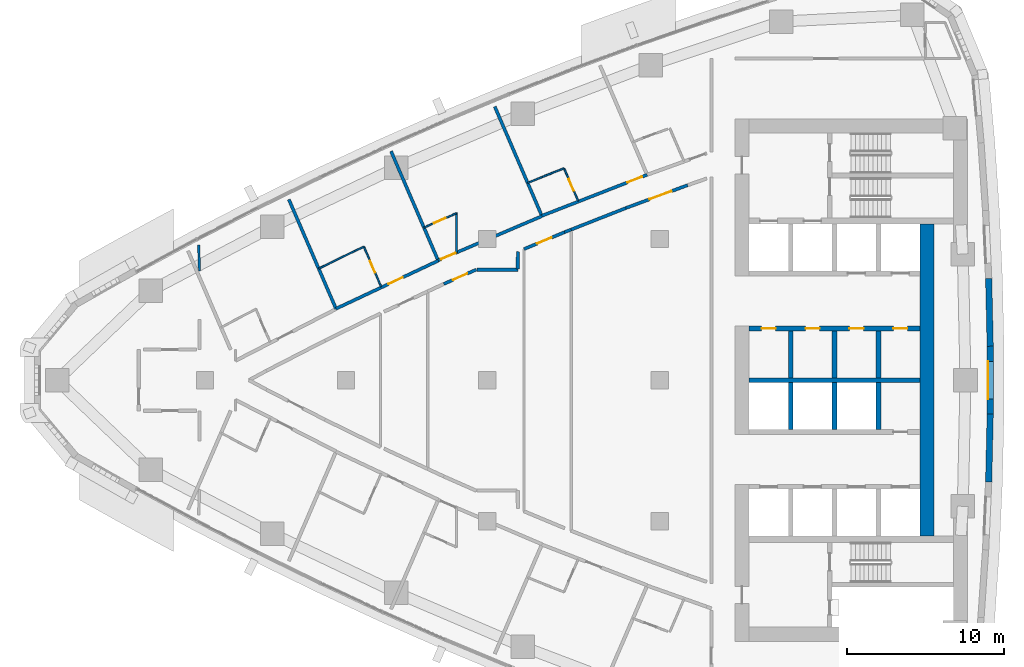
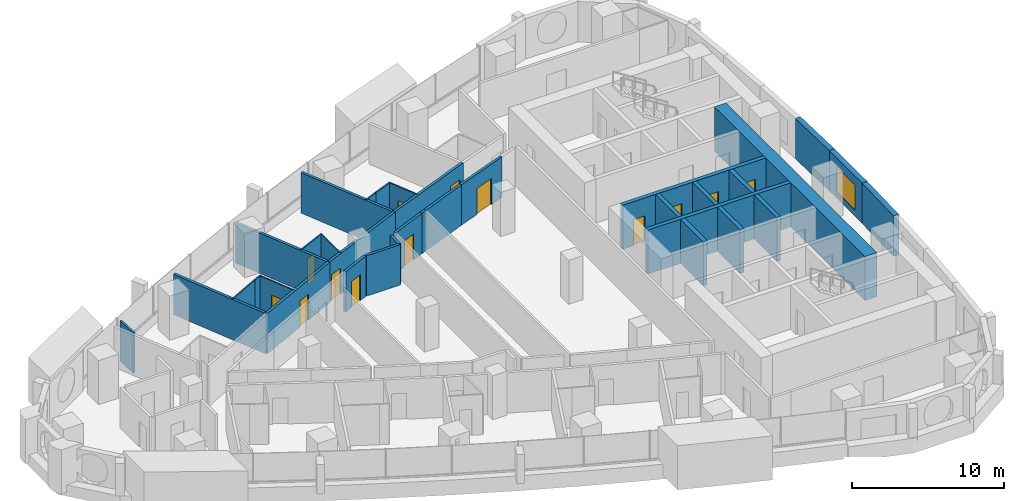
# One storey, part 11 of 17: 34 walls, 13 doors, 1 window, 14 openings.
"""IFC4 building model written with IfcOpenShell, lengths in metres."""

import ifcopenshell
import ifcopenshell.guid

model = None  # the IFC model being written
_history = None  # IfcOwnerHistory: only IFC2X3 demands one
_inside = {}  # id of a spatial element -> (the spatial element, [elements in it])
_under = {}  # id of a project, library or spatial element -> (it, [spatial elements below it])
_declared = {}  # id of a project -> (the project, [libraries it declares])
_typed = {}  # id of a type object -> (the type object, [elements of that type])
_made_of = {}  # id of a material, layer set ... -> (it, [elements and type objects made of it])


def new_model(schema):
    """Start an empty IFC model of exactly this schema.

    Asked for "IFC4X3", IfcOpenShell would pick the latest addendum, in which some entities
    have other attributes; the version numbers below select the first issue.
    IFC2X3 requires an IfcOwnerHistory on every rooted entity: one is made here for all.
    """
    global model, _history
    if schema == "IFC4X3":
        model = ifcopenshell.file(schema_version=(4, 3, 0, 0))
    else:
        model = ifcopenshell.file(schema=schema)
    _inside.clear()
    _under.clear()
    _declared.clear()
    _typed.clear()
    _made_of.clear()
    _history = None
    if model.schema == "IFC2X3":
        org = make("IfcOrganization", Name="unknown")
        user = make(
            "IfcPersonAndOrganization",
            ThePerson=make("IfcPerson", FamilyName="unknown"),
            TheOrganization=org,
        )
        app = make(
            "IfcApplication",
            ApplicationDeveloper=org,
            Version="unknown",
            ApplicationFullName="unknown",
            ApplicationIdentifier="unknown",
        )
        _history = make(
            "IfcOwnerHistory",
            OwningUser=user,
            OwningApplication=app,
            ChangeAction="ADDED",
            CreationDate=0,
        )
    return model


def make(cls, **values):
    """One entity of the class cls with the attributes given. An attribute that is None is left unset."""
    return model.create_entity(
        cls, **{name: value for name, value in values.items() if value is not None}
    )


def rooted(cls, **values):
    """An entity with a GlobalId (a new one), such as an element, a storey or a relation."""
    return make(cls, GlobalId=ifcopenshell.guid.new(), OwnerHistory=_history, **values)


def si_unit(unit_type, name, prefix=None):
    """IfcSIUnit, for example si_unit("LENGTHUNIT", "METRE", prefix="MILLI")."""
    return make("IfcSIUnit", UnitType=unit_type, Prefix=prefix, Name=name)


def assignment(units):
    """IfcUnitAssignment: the units of a project."""
    return None if units is None else make("IfcUnitAssignment", Units=units)


def point(xyz):
    """IfcCartesianPoint."""
    return None if xyz is None else make("IfcCartesianPoint", Coordinates=xyz)


def direction(xyz):
    """IfcDirection."""
    return None if xyz is None else make("IfcDirection", DirectionRatios=xyz)


def frame(location, z_axis=None, x_axis=None):
    """IfcAxis2Placement3D, a coordinate frame: its origin and axes. An axis left out is left unset."""
    return make(
        "IfcAxis2Placement3D",
        Location=point(location),
        Axis=direction(z_axis),
        RefDirection=direction(x_axis),
    )


def frame_2d(location, x_axis=None):
    """IfcAxis2Placement2D, a coordinate frame in the plane: its origin and x axis."""
    return make(
        "IfcAxis2Placement2D", Location=point(location), RefDirection=direction(x_axis)
    )


def origin():
    """The frame at (0, 0, 0) with its axes left unset."""
    return frame((0.0, 0.0, 0.0))


def place(relative_to, where):
    """IfcLocalPlacement: puts the frame where relative to a parent placement (None: the world)."""
    return make(
        "IfcLocalPlacement", PlacementRelTo=relative_to, RelativePlacement=where
    )


def context(
    kind, dimensions, precision=None, world=None, true_north=None, identifier=None
):
    """IfcGeometricRepresentationContext, for example the 3D "Model" context."""
    return make(
        "IfcGeometricRepresentationContext",
        ContextIdentifier=identifier,
        ContextType=kind,
        CoordinateSpaceDimension=dimensions,
        Precision=precision,
        WorldCoordinateSystem=world,
        TrueNorth=true_north,
    )


def subcontext(parent, identifier, kind, view, scale=None):
    """IfcGeometricRepresentationSubContext, for example "Body" below "Model"."""
    return make(
        "IfcGeometricRepresentationSubContext",
        ContextIdentifier=identifier,
        ContextType=kind,
        ParentContext=parent,
        TargetScale=scale,
        TargetView=view,
    )


def project(units=None, contexts=None):
    """IfcProject with its units and contexts."""
    return rooted(
        "IfcProject",
        Name="project",
        RepresentationContexts=contexts,
        UnitsInContext=assignment(units),
    )


def spatial(cls, under=None, at=None, **own):
    """A site, building, storey or space (cls), placed at a placement, below another one or the project."""
    s = rooted(cls, ObjectPlacement=at, **own)
    if under is not None:
        _under.setdefault(under.id(), (under, []))[1].append(s)
    return s


def polyline(points):
    """IfcPolyline through the points."""
    return make("IfcPolyline", Points=[point(p) for p in points])


def profile(cls, at=None, kind="AREA", **sizes):
    """A parametric profile (cls). Its sizes go by their IFC names, for example OverallWidth=200.0."""
    return make(cls, ProfileType=kind, Position=at, **sizes)


def rectangle(**sizes):
    """IfcRectangleProfileDef."""
    return profile("IfcRectangleProfileDef", **sizes)


def outline(outer, holes=None, kind="AREA"):
    """IfcArbitraryClosedProfileDef: a profile drawn as a closed curve; with holes, ...WithVoids."""
    if holes is None:
        return make("IfcArbitraryClosedProfileDef", ProfileType=kind, OuterCurve=outer)
    return make(
        "IfcArbitraryProfileDefWithVoids",
        ProfileType=kind,
        OuterCurve=outer,
        InnerCurves=holes,
    )


def extrude(swept, where, along, depth):
    """IfcExtrudedAreaSolid: the profile swept, set in the frame where, extruded along a direction by depth."""
    return make(
        "IfcExtrudedAreaSolid",
        SweptArea=swept,
        Position=where,
        ExtrudedDirection=direction(along),
        Depth=depth,
    )


def shape(context_of_items, identifier, shape_type, items):
    """IfcShapeRepresentation: the items that make up one representation, for example the "Body"."""
    return make(
        "IfcShapeRepresentation",
        ContextOfItems=context_of_items,
        RepresentationIdentifier=identifier,
        RepresentationType=shape_type,
        Items=items,
    )


def material(Name=None, Category=None):
    """IfcMaterial."""
    return make("IfcMaterial", Name=Name, Category=Category)


def layer(
    of_material, thickness, ventilated=None, Name=None, Category=None, Priority=None
):
    """IfcMaterialLayer: one layer of a wall or slab, of a material (None: an air gap)."""
    return make(
        "IfcMaterialLayer",
        Material=of_material,
        LayerThickness=thickness,
        IsVentilated=ventilated,
        Name=Name,
        Category=Category,
        Priority=Priority,
    )


def layer_set(layers, Name=None):
    """IfcMaterialLayerSet."""
    return make("IfcMaterialLayerSet", MaterialLayers=layers, LayerSetName=Name)


def made_of(thing, what):
    """Note that an element or type object is made of a material, layer set ...; save() writes the relation."""
    if what is not None:
        _made_of.setdefault(what.id(), (what, []))[1].append(thing)
    return thing


def type_object(cls, material=None, **own):
    """A type object (cls), such as IfcWallType, which elements share."""
    return made_of(rooted(cls, **own), material)


def element(
    cls,
    number,
    at=None,
    inside=None,
    cuts=None,
    type_object=None,
    material=None,
    context=None,
    identifier="Body",
    shape_type=None,
    held_by="IfcProductDefinitionShape",
    body=None,
    shapes=None,
    **own,
):
    """One element of the class cls, such as IfcWall. Its Tag is "e" and its number.

    at: its placement. inside: the storey or other place that contains it. cuts: it is an
    opening in that element (IfcRelVoidsElement). A single representation is given by context,
    identifier, shape_type and body (its items); several are given by shapes. held_by: the class
    of the entity that holds the representations. save() writes the other relations.
    """
    e = rooted(cls, Tag="e%d" % number, ObjectPlacement=at, **own)
    if body is not None:
        shapes = [shape(context, identifier, shape_type, body)]
    if shapes is not None:
        e.Representation = make(held_by, Representations=shapes)
    if inside is not None:
        _inside.setdefault(inside.id(), (inside, []))[1].append(e)
    if cuts is not None:
        rooted(
            "IfcRelVoidsElement", RelatingBuildingElement=cuts, RelatedOpeningElement=e
        )
    if type_object is not None:
        _typed.setdefault(type_object.id(), (type_object, []))[1].append(e)
    return made_of(e, material)


def fill(opening, filler):
    """IfcRelFillsElement: the door or window that sits in an opening."""
    return rooted(
        "IfcRelFillsElement",
        RelatingOpeningElement=opening,
        RelatedBuildingElement=filler,
    )


def aggregate(whole, parts):
    """IfcRelAggregates: a whole, such as a stair, and the parts it consists of."""
    return rooted("IfcRelAggregates", RelatingObject=whole, RelatedObjects=parts)


def save(model, path):
    """Write the relations noted so far, then the file.

    IfcRelAggregates (storeys below a building ...), IfcRelContainedInSpatialStructure (elements
    in a storey), IfcRelDefinesByType, IfcRelAssociatesMaterial and IfcRelDeclares: one each for
    every whole, place, type object, material and project.
    """
    for whole, parts in _under.values():
        aggregate(whole, parts)
    for where, things in _inside.values():
        rooted(
            "IfcRelContainedInSpatialStructure",
            RelatedElements=things,
            RelatingStructure=where,
        )
    for kind, things in _typed.values():
        rooted("IfcRelDefinesByType", RelatedObjects=things, RelatingType=kind)
    for what, things in _made_of.values():
        rooted("IfcRelAssociatesMaterial", RelatedObjects=things, RelatingMaterial=what)
    for by, libraries in _declared.values():
        rooted("IfcRelDeclares", RelatingContext=by, RelatedDefinitions=libraries)
    model.write(path)


model = new_model("IFC4")

# Units and contexts
model_context = context("Model", 3, precision=1e-05, world=origin(), true_north=direction((0.0, 1.0)))
body_context = subcontext(model_context, "Body", "Model", "MODEL_VIEW")
ifc_project = project(units=[si_unit("LENGTHUNIT", "METRE"), si_unit("AREAUNIT", "SQUARE_METRE"), si_unit("VOLUMEUNIT", "CUBIC_METRE"), si_unit("PLANEANGLEUNIT", "RADIAN"), si_unit("MASSUNIT", "GRAM", prefix="KILO")], contexts=[model_context])

# Site, building, storey
site_placement = place(None, origin())
site = spatial("IfcSite", under=ifc_project, at=site_placement, CompositionType="ELEMENT")
building_placement = place(site_placement, origin())
building = spatial("IfcBuilding", under=site, at=building_placement, Name="Ostrand Prow Hotel Tower", CompositionType="ELEMENT")
storey_placement = place(building_placement, frame((0.0, 0.0, 137.300048828125)))
storey = spatial("IfcBuildingStorey", under=building, at=storey_placement, Name="L33", CompositionType="ELEMENT", Elevation=137.300048828125)

# Wall
ifc_material_1 = material(Name="Concrete C70/85", Category="concrete")
ifc_layer_1 = layer(ifc_material_1, 0.300048828125)
ifc_layer_set_1 = layer_set([ifc_layer_1], Name="Concrete C70/85")
wall_type_1 = type_object("IfcWallType", Name="Core wall 300 C70/85", PredefinedType="SHEAR", material=ifc_layer_set_1)
wall_1_placement = place(storey_placement, frame((50.699951171875, 0.0, 0.0), z_axis=(0.0, 0.0, 1.0), x_axis=(1.0, 0.0, 0.0)))
element("IfcWall", 1, at=wall_1_placement, inside=storey, type_object=wall_type_1, Name="Core wall PW-C", PredefinedType="SHEAR", context=body_context, shape_type="SweptSolid", body=[
    extrude(rectangle(XDim=10.900146484375, YDim=0.300048828125, at=frame_2d((5.4501953125, 0.0))), origin(), (0.0, 0.0, 1.0), 3.550048828125),
])

# Wall, openings, doors
wall_2_placement = place(storey_placement, frame((50.699951171875, 3.300048828125, 0.0), z_axis=(0.0, 0.0, 1.0), x_axis=(1.0, 0.0, 0.0)))
wall_2 = element("IfcWall", 2, at=wall_2_placement, inside=storey, type_object=wall_type_1, Name="Core wall PW-L1-N", PredefinedType="SHEAR", context=body_context, shape_type="SweptSolid", body=[
    extrude(rectangle(XDim=10.900146484375, YDim=0.300048828125, at=frame_2d((5.4501953125, 0.0))), origin(), (0.0, 0.0, 1.0), 3.550048828125),
])
opening_1_placement = place(wall_2_placement, frame((0.800048828125, 0.0, 0.0)))
opening_1 = element("IfcOpeningElement", 3, at=opening_1_placement, cuts=wall_2, Name="Opening FD2", PredefinedType="OPENING", context=body_context, shape_type="SweptSolid", body=[
    extrude(rectangle(XDim=0.89990234375, YDim=2.10009765625, at=frame_2d((0.449951171875, 1.050048828125))), frame((0.0, 0.159912109375, 0.0), z_axis=(0.0, -1.0, 0.0), x_axis=(1.0, 0.0, 0.0)), (0.0, 0.0, 1.0), 0.320068359375),
])
opening_2_placement = place(wall_2_placement, frame((3.60009765625, 0.0, 0.0)))
opening_2 = element("IfcOpeningElement", 4, at=opening_2_placement, cuts=wall_2, Name="Opening FD2", PredefinedType="OPENING", context=body_context, shape_type="SweptSolid", body=[
    extrude(rectangle(XDim=0.89990234375, YDim=2.10009765625, at=frame_2d((0.449951171875, 1.050048828125))), frame((0.0, 0.159912109375, 0.0), z_axis=(0.0, -1.0, 0.0), x_axis=(1.0, 0.0, 0.0)), (0.0, 0.0, 1.0), 0.320068359375),
])
opening_3_placement = place(wall_2_placement, frame((6.39990234375, 0.0, 0.0)))
opening_3 = element("IfcOpeningElement", 5, at=opening_3_placement, cuts=wall_2, Name="Opening FD2", PredefinedType="OPENING", context=body_context, shape_type="SweptSolid", body=[
    extrude(rectangle(XDim=0.89990234375, YDim=2.10009765625, at=frame_2d((0.449951171875, 1.050048828125))), frame((0.0, 0.159912109375, 0.0), z_axis=(0.0, -1.0, 0.0), x_axis=(1.0, 0.0, 0.0)), (0.0, 0.0, 1.0), 0.320068359375),
])
opening_4_placement = place(wall_2_placement, frame((9.199951171875, 0.0, 0.0)))
opening_4 = element("IfcOpeningElement", 6, at=opening_4_placement, cuts=wall_2, Name="Opening FD2", PredefinedType="OPENING", context=body_context, shape_type="SweptSolid", body=[
    extrude(rectangle(XDim=0.89990234375, YDim=2.10009765625, at=frame_2d((0.449951171875, 1.050048828125))), frame((0.0, 0.159912109375, 0.0), z_axis=(0.0, -1.0, 0.0), x_axis=(1.0, 0.0, 0.0)), (0.0, 0.0, 1.0), 0.320068359375),
])
ifc_material_2 = material(Name="Steel fire door", Category="steel")
door_type_1 = type_object("IfcDoorType", Name="Fire door 900 EI120", OperationType="SINGLE_SWING_LEFT", PredefinedType="DOOR", material=ifc_material_2)
door_1_placement = place(opening_1_placement, origin())
door_1 = element("IfcDoor", 7, at=door_1_placement, inside=storey, type_object=door_type_1, Name="DOOR", OperationType="SINGLE_SWING_LEFT", OverallHeight=2.10009765625, OverallWidth=0.89990234375, PredefinedType="DOOR", context=body_context, shape_type="SweptSolid", body=[
    extrude(rectangle(XDim=0.89990234375, YDim=2.10009765625, at=frame_2d((0.449951171875, 1.050048828125))), frame((0.0, 0.02490234375, 0.0), z_axis=(0.0, -1.0, 0.0), x_axis=(1.0, 0.0, 0.0)), (0.0, 0.0, 1.0), 0.050048828125),
])
fill(opening_1, door_1)
door_2_placement = place(opening_2_placement, origin())
door_2 = element("IfcDoor", 8, at=door_2_placement, inside=storey, type_object=door_type_1, Name="DOOR", OperationType="SINGLE_SWING_LEFT", OverallHeight=2.10009765625, OverallWidth=0.89990234375, PredefinedType="DOOR", context=body_context, shape_type="SweptSolid", body=[
    extrude(rectangle(XDim=0.89990234375, YDim=2.10009765625, at=frame_2d((0.449951171875, 1.050048828125))), frame((0.0, 0.02490234375, 0.0), z_axis=(0.0, -1.0, 0.0), x_axis=(1.0, 0.0, 0.0)), (0.0, 0.0, 1.0), 0.050048828125),
])
fill(opening_2, door_2)
door_3_placement = place(opening_3_placement, origin())
door_3 = element("IfcDoor", 9, at=door_3_placement, inside=storey, type_object=door_type_1, Name="DOOR", OperationType="SINGLE_SWING_LEFT", OverallHeight=2.10009765625, OverallWidth=0.89990234375, PredefinedType="DOOR", context=body_context, shape_type="SweptSolid", body=[
    extrude(rectangle(XDim=0.89990234375, YDim=2.10009765625, at=frame_2d((0.449951171875, 1.050048828125))), frame((0.0, 0.02490234375, 0.0), z_axis=(0.0, -1.0, 0.0), x_axis=(1.0, 0.0, 0.0)), (0.0, 0.0, 1.0), 0.050048828125),
])
fill(opening_3, door_3)
door_4_placement = place(opening_4_placement, origin())
door_4 = element("IfcDoor", 10, at=door_4_placement, inside=storey, type_object=door_type_1, Name="DOOR", OperationType="SINGLE_SWING_LEFT", OverallHeight=2.10009765625, OverallWidth=0.89990234375, PredefinedType="DOOR", context=body_context, shape_type="SweptSolid", body=[
    extrude(rectangle(XDim=0.89990234375, YDim=2.10009765625, at=frame_2d((0.449951171875, 1.050048828125))), frame((0.0, 0.02490234375, 0.0), z_axis=(0.0, -1.0, 0.0), x_axis=(1.0, 0.0, 0.0)), (0.0, 0.0, 1.0), 0.050048828125),
])
fill(opening_4, door_4)

# Walls
for number, where, z_axis, x_axis, name in (
    (11, (53.35009765625, 0.14990234375, 0.0), (0.0, 0.0, 1.0), (0.0, 1.0, 0.0), "Core wall PW-R1-NB"),
    (12, (56.14990234375, 0.14990234375, 0.0), (0.0, 0.0, 1.0), (0.0, 1.0, 0.0), "Core wall PW-R2-NB"),
    (13, (58.949951171875, 0.14990234375, 0.0), (0.0, 0.0, 1.0), (0.0, 1.0, 0.0), "Core wall PW-R3-NB"),
    (14, (53.35009765625, -3.14990234375, 0.0), (0.0, 0.0, 1.0), (0.0, 1.0, 0.0), "Core wall PW-R1-SB"),
    (15, (56.14990234375, -3.14990234375, 0.0), (0.0, 0.0, 1.0), (0.0, 1.0, 0.0), "Core wall PW-R2-SB"),
    (16, (58.949951171875, -3.14990234375, 0.0), (0.0, 0.0, 1.0), (0.0, 1.0, 0.0), "Core wall PW-R3-SB"),
):
    element("IfcWall", number, at=place(storey_placement, frame(where, z_axis=z_axis, x_axis=x_axis)), inside=storey, type_object=wall_type_1, Name=name, PredefinedType="SHEAR", context=body_context, shape_type="SweptSolid", body=[
        extrude(rectangle(XDim=3.0, YDim=0.300048828125, at=frame_2d((1.5, 0.0))), origin(), (0.0, 0.0, 1.0), 3.550048828125),
    ])
ifc_material_3 = material(Name="Concrete C70/85", Category="concrete")
ifc_layer_2 = layer(ifc_material_3, 0.89990234375)
ifc_layer_set_2 = layer_set([ifc_layer_2], Name="Concrete C70/85")
wall_type_2 = type_object("IfcWallType", Name="Core wall 900 C70/85", PredefinedType="SHEAR", material=ifc_layer_set_2)
wall_3_placement = place(storey_placement, frame((62.050048828125, -9.949951171875, 0.0), z_axis=(0.0, 0.0, 1.0), x_axis=(0.0, 1.0, 0.0)))
element("IfcWall", 17, at=wall_3_placement, inside=storey, type_object=wall_type_2, Name="Core wall CW-E-C", PredefinedType="SHEAR", context=body_context, shape_type="SweptSolid", body=[
    extrude(rectangle(XDim=19.89990234375, YDim=0.89990234375, at=frame_2d((9.949951171875, 0.0))), origin(), (0.0, 0.0, 1.0), 3.550048828125),
])
ifc_material_4 = material(Name="Plasterboard partition")
ifc_layer_3 = layer(ifc_material_4, 0.10009765625)
ifc_layer_set_3 = layer_set([ifc_layer_3], Name="Plasterboard partition")
wall_type_3 = type_object("IfcWallType", Name="Partition 100 bathroom wall", PredefinedType="PARTITIONING", material=ifc_layer_set_3)
wall_4_placement = place(storey_placement, frame((23.25732421875, 7.113037109375, 0.0), z_axis=(0.0, 0.0, 1.0), x_axis=(0.89814200952, 0.439705504555, 0.0)))
element("IfcWall", 18, at=wall_4_placement, inside=storey, type_object=wall_type_3, Name="BATHROOM WALL", PredefinedType="PARTITIONING", context=body_context, shape_type="SweptSolid", body=[
    extrude(rectangle(XDim=2.580810546875, YDim=0.10009765625, at=frame_2d((1.29052734375, 0.0))), origin(), (0.0, 0.0, 1.0), 3.25),
])
wall_5_placement = place(storey_placement, frame((25.5751953125, 8.247802734375, 0.0), z_axis=(0.0, 0.0, 1.0), x_axis=(0.906923333349, 0.421295700699, 0.0)))
element("IfcWall", 19, at=wall_5_placement, inside=storey, type_object=wall_type_3, Name="BATHROOM WALL", PredefinedType="PARTITIONING", context=body_context, shape_type="SweptSolid", body=[
    extrude(rectangle(XDim=0.622314453125, YDim=0.10009765625, at=frame_2d((0.31103515625, 0.0))), origin(), (0.0, 0.0, 1.0), 3.25),
])

# Wall, opening, door
wall_6_placement = place(storey_placement, frame((26.139892578125, 8.510009765625, 0.0), z_axis=(0.0, 0.0, 1.0), x_axis=(0.396018464604, -0.918242547311, 0.0)))
wall_6 = element("IfcWall", 20, at=wall_6_placement, inside=storey, type_object=wall_type_3, Name="BATHROOM WALL", PredefinedType="PARTITIONING", context=body_context, shape_type="SweptSolid", body=[
    extrude(rectangle(XDim=2.77783203125, YDim=0.10009765625, at=frame_2d((1.388916015625, 0.0))), origin(), (0.0, 0.0, 1.0), 3.25),
])
opening_5_placement = place(wall_6_placement, frame((1.0, 0.0, 0.0)))
opening_5 = element("IfcOpeningElement", 21, at=opening_5_placement, cuts=wall_6, Name="Opening D2", PredefinedType="OPENING", context=body_context, shape_type="SweptSolid", body=[
    extrude(rectangle(XDim=0.800048828125, YDim=2.10009765625, at=frame_2d((0.39990234375, 1.050048828125))), frame((0.0, 0.06005859375, 0.0), z_axis=(0.0, -1.0, 0.0), x_axis=(1.0, 0.0, 0.0)), (0.0, 0.0, 1.0), 0.1201171875),
])
ifc_material_5 = material(Name="Timber door leaf", Category="wood")
door_type_2 = type_object("IfcDoorType", Name="Bathroom door 800", OperationType="SINGLE_SWING_LEFT", PredefinedType="DOOR", material=ifc_material_5)
door_5_placement = place(opening_5_placement, origin())
door_5 = element("IfcDoor", 22, at=door_5_placement, inside=storey, type_object=door_type_2, Name="DOOR", OperationType="SINGLE_SWING_LEFT", OverallHeight=2.10009765625, OverallWidth=0.800048828125, PredefinedType="DOOR", context=body_context, shape_type="SweptSolid", body=[
    extrude(rectangle(XDim=0.800048828125, YDim=2.10009765625, at=frame_2d((0.39990234375, 1.050048828125))), frame((0.0, 0.02490234375, 0.0), z_axis=(0.0, -1.0, 0.0), x_axis=(1.0, 0.0, 0.0)), (0.0, 0.0, 1.0), 0.050048828125),
])
fill(opening_5, door_5)

wall_7_placement = place(storey_placement, frame((29.96923828125, 9.7314453125, 0.0), z_axis=(0.0, 0.0, 1.0), x_axis=(0.915118086658, 0.403185921719, 0.0)))
wall_7 = element("IfcWall", 23, at=wall_7_placement, inside=storey, type_object=wall_type_3, Name="BATHROOM WALL", PredefinedType="PARTITIONING", context=body_context, shape_type="SweptSolid", body=[
    extrude(rectangle(XDim=2.24951171875, YDim=0.10009765625, at=frame_2d((1.124755859375, 0.0))), origin(), (0.0, 0.0, 1.0), 3.25),
])
opening_6_placement = place(wall_7_placement, frame((0.699951171875, 0.0, 0.0)))
opening_6 = element("IfcOpeningElement", 24, at=opening_6_placement, cuts=wall_7, Name="Opening D2", PredefinedType="OPENING", context=body_context, shape_type="SweptSolid", body=[
    extrude(rectangle(XDim=0.800048828125, YDim=2.10009765625, at=frame_2d((0.39990234375, 1.050048828125))), frame((0.0, 0.06005859375, 0.0), z_axis=(0.0, -1.0, 0.0), x_axis=(1.0, 0.0, 0.0)), (0.0, 0.0, 1.0), 0.1201171875),
])
door_6_placement = place(opening_6_placement, origin())
door_6 = element("IfcDoor", 25, at=door_6_placement, inside=storey, type_object=door_type_2, Name="DOOR", OperationType="SINGLE_SWING_LEFT", OverallHeight=2.10009765625, OverallWidth=0.800048828125, PredefinedType="DOOR", context=body_context, shape_type="SweptSolid", body=[
    extrude(rectangle(XDim=0.800048828125, YDim=2.10009765625, at=frame_2d((0.39990234375, 1.050048828125))), frame((0.0, 0.02490234375, 0.0), z_axis=(0.0, -1.0, 0.0), x_axis=(1.0, 0.0, 0.0)), (0.0, 0.0, 1.0), 0.050048828125),
])
fill(opening_6, door_6)

# Walls
wall_8_placement = place(storey_placement, frame((36.584228515625, 12.574462890625, 0.0), z_axis=(0.0, 0.0, 1.0), x_axis=(0.923026834192, 0.384735575897, 0.0)))
element("IfcWall", 26, at=wall_8_placement, inside=storey, type_object=wall_type_3, Name="BATHROOM WALL", PredefinedType="PARTITIONING", context=body_context, shape_type="SweptSolid", body=[
    extrude(rectangle(XDim=1.009521484375, YDim=0.10009765625, at=frame_2d((0.5048828125, 0.0))), origin(), (0.0, 0.0, 1.0), 3.25),
])
wall_9_placement = place(storey_placement, frame((37.51611328125, 12.962890625, 0.0), z_axis=(0.0, 0.0, 1.0), x_axis=(0.930584239012, 0.366077825199, 0.0)))
element("IfcWall", 27, at=wall_9_placement, inside=storey, type_object=wall_type_3, Name="BATHROOM WALL", PredefinedType="PARTITIONING", context=body_context, shape_type="SweptSolid", body=[
    extrude(rectangle(XDim=1.4912109375, YDim=0.10009765625, at=frame_2d((0.74560546875, 0.0))), origin(), (0.0, 0.0, 1.0), 3.25),
])

# Wall, opening, door
wall_10_placement = place(storey_placement, frame((38.90380859375, 13.5087890625, 0.0), z_axis=(0.0, 0.0, 1.0), x_axis=(0.396000751487, -0.918250186399, 0.0)))
wall_10 = element("IfcWall", 28, at=wall_10_placement, inside=storey, type_object=wall_type_3, Name="BATHROOM WALL", PredefinedType="PARTITIONING", context=body_context, shape_type="SweptSolid", body=[
    extrude(rectangle(XDim=2.278076171875, YDim=0.10009765625, at=frame_2d((1.13916015625, 0.0))), origin(), (0.0, 0.0, 1.0), 3.25),
])
opening_7_placement = place(wall_10_placement, frame((0.75, 0.0, 0.0)))
opening_7 = element("IfcOpeningElement", 29, at=opening_7_placement, cuts=wall_10, Name="Opening D2", PredefinedType="OPENING", context=body_context, shape_type="SweptSolid", body=[
    extrude(rectangle(XDim=0.800048828125, YDim=2.10009765625, at=frame_2d((0.39990234375, 1.050048828125))), frame((0.0, 0.06005859375, 0.0), z_axis=(0.0, -1.0, 0.0), x_axis=(1.0, 0.0, 0.0)), (0.0, 0.0, 1.0), 0.1201171875),
])
door_7_placement = place(opening_7_placement, origin())
door_7 = element("IfcDoor", 30, at=door_7_placement, inside=storey, type_object=door_type_2, Name="DOOR", OperationType="SINGLE_SWING_LEFT", OverallHeight=2.10009765625, OverallWidth=0.800048828125, PredefinedType="DOOR", context=body_context, shape_type="SweptSolid", body=[
    extrude(rectangle(XDim=0.800048828125, YDim=2.10009765625, at=frame_2d((0.39990234375, 1.050048828125))), frame((0.0, 0.02490234375, 0.0), z_axis=(0.0, -1.0, 0.0), x_axis=(1.0, 0.0, 0.0)), (0.0, 0.0, 1.0), 0.050048828125),
])
fill(opening_7, door_7)

# Walls
wall_11_placement = place(storey_placement, frame((32.044921875, 10.6611328125, 0.0), z_axis=(0.0, 0.0, 1.0), x_axis=(0.0, -1.0, 0.0)))
element("IfcWall", 31, at=wall_11_placement, inside=storey, type_object=wall_type_3, Name="BATHROOM WALL", PredefinedType="PARTITIONING", context=body_context, shape_type="SweptSolid", body=[
    extrude(rectangle(XDim=2.52294921875, YDim=0.10009765625, at=frame_2d((1.261474609375, 0.0))), origin(), (0.0, 0.0, 1.0), 3.25),
])
ifc_material_6 = material(Name="Plasterboard partition")
ifc_layer_4 = layer(ifc_material_6, 0.14990234375)
ifc_layer_set_4 = layer_set([ifc_layer_4], Name="Plasterboard partition")
wall_type_4 = type_object("IfcWallType", Name="Partition 150 room partition", PredefinedType="PARTITIONING", material=ifc_layer_set_4)
wall_12_placement = place(storey_placement, frame((15.603759765625, 8.60888671875, 0.0), z_axis=(0.0, 0.0, 1.0), x_axis=(0.033196927484, -0.999448830109, 0.0)))
element("IfcWall", 32, at=wall_12_placement, inside=storey, type_object=wall_type_4, Name="ROOM PARTITION", PredefinedType="PARTITIONING", context=body_context, shape_type="SweptSolid", body=[
    extrude(rectangle(XDim=1.65478515625, YDim=0.14990234375, at=frame_2d((0.827392578125, 0.0))), origin(), (0.0, 0.0, 1.0), 3.25),
])

# Wall, opening, door
ifc_material_7 = material(Name="Plasterboard partition")
ifc_layer_5 = layer(ifc_material_7, 0.199951171875)
ifc_layer_set_5 = layer_set([ifc_layer_5], Name="Plasterboard partition")
wall_type_5 = type_object("IfcWallType", Name="Partition 200 corridor wall", PredefinedType="PARTITIONING", material=ifc_layer_set_5)
wall_13_placement = place(storey_placement, frame((24.359619140625, 4.557373046875, 0.0), z_axis=(0.0, 0.0, 1.0), x_axis=(0.905157912263, 0.425075468439, 0.0)))
wall_13 = element("IfcWall", 33, at=wall_13_placement, inside=storey, type_object=wall_type_5, Name="CORRIDOR WALL", PredefinedType="PARTITIONING", context=body_context, shape_type="SweptSolid", body=[
    extrude(rectangle(XDim=7.203369140625, YDim=0.199951171875, at=frame_2d((3.6015625, 0.0))), origin(), (0.0, 0.0, 1.0), 3.25),
])
opening_8_placement = place(wall_13_placement, frame((3.699951171875, 0.0, 0.0)))
opening_8 = element("IfcOpeningElement", 34, at=opening_8_placement, cuts=wall_13, Name="Opening D1", PredefinedType="OPENING", context=body_context, shape_type="SweptSolid", body=[
    extrude(rectangle(XDim=1.0, YDim=2.10009765625, at=frame_2d((0.5, 1.050048828125))), frame((0.0, 0.10986328125, 0.0), z_axis=(0.0, -1.0, 0.0), x_axis=(1.0, 0.0, 0.0)), (0.0, 0.0, 1.0), 0.219970703125),
])
ifc_material_8 = material(Name="Timber door leaf", Category="wood")
door_type_3 = type_object("IfcDoorType", Name="Guest room door 1000", OperationType="SINGLE_SWING_LEFT", PredefinedType="DOOR", material=ifc_material_8)
door_8_placement = place(opening_8_placement, origin())
door_8 = element("IfcDoor", 35, at=door_8_placement, inside=storey, type_object=door_type_3, Name="DOOR", OperationType="SINGLE_SWING_LEFT", OverallHeight=2.10009765625, OverallWidth=1.0, PredefinedType="DOOR", context=body_context, shape_type="SweptSolid", body=[
    extrude(rectangle(XDim=1.0, YDim=2.10009765625, at=frame_2d((0.5, 1.050048828125))), frame((0.0, 0.02490234375, 0.0), z_axis=(0.0, -1.0, 0.0), x_axis=(1.0, 0.0, 0.0)), (0.0, 0.0, 1.0), 0.050048828125),
])
fill(opening_8, door_8)

wall_14_placement = place(storey_placement, frame((30.8720703125, 7.6376953125, 0.0), z_axis=(0.0, 0.0, 1.0), x_axis=(0.919834621271, 0.392306346509, 0.0)))
wall_14 = element("IfcWall", 36, at=wall_14_placement, inside=storey, type_object=wall_type_5, Name="CORRIDOR WALL", PredefinedType="PARTITIONING", context=body_context, shape_type="SweptSolid", body=[
    extrude(rectangle(XDim=7.2001953125, YDim=0.199951171875, at=frame_2d((3.60009765625, 0.0))), origin(), (0.0, 0.0, 1.0), 3.25),
])
opening_9_placement = place(wall_14_placement, frame((0.199951171875, 0.0, 0.0)))
opening_9 = element("IfcOpeningElement", 37, at=opening_9_placement, cuts=wall_14, Name="Opening D1", PredefinedType="OPENING", context=body_context, shape_type="SweptSolid", body=[
    extrude(rectangle(XDim=1.0, YDim=2.10009765625, at=frame_2d((0.5, 1.050048828125))), frame((0.0, 0.10986328125, 0.0), z_axis=(0.0, -1.0, 0.0), x_axis=(1.0, 0.0, 0.0)), (0.0, 0.0, 1.0), 0.219970703125),
])
door_9_placement = place(opening_9_placement, origin())
door_9 = element("IfcDoor", 38, at=door_9_placement, inside=storey, type_object=door_type_3, Name="DOOR", OperationType="SINGLE_SWING_LEFT", OverallHeight=2.10009765625, OverallWidth=1.0, PredefinedType="DOOR", context=body_context, shape_type="SweptSolid", body=[
    extrude(rectangle(XDim=1.0, YDim=2.10009765625, at=frame_2d((0.5, 1.050048828125))), frame((0.0, 0.02490234375, 0.0), z_axis=(0.0, -1.0, 0.0), x_axis=(1.0, 0.0, 0.0)), (0.0, 0.0, 1.0), 0.050048828125),
])
fill(opening_9, door_9)

wall_15_placement = place(storey_placement, frame((44.19921875, 13.098388671875, 0.0), z_axis=(0.0, 0.0, 1.0), x_axis=(-0.931657652296, -0.363337334882, 0.0)))
wall_15 = element("IfcWall", 39, at=wall_15_placement, inside=storey, type_object=wall_type_5, Name="CORRIDOR WALL", PredefinedType="PARTITIONING", context=body_context, shape_type="SweptSolid", body=[
    extrude(rectangle(XDim=7.20458984375, YDim=0.199951171875, at=frame_2d((3.602294921875, 0.0))), origin(), (0.0, 0.0, 1.0), 3.25),
])
opening_10_placement = place(wall_15_placement, frame((0.35009765625, 0.0, 0.0)))
opening_10 = element("IfcOpeningElement", 40, at=opening_10_placement, cuts=wall_15, Name="Opening D1", PredefinedType="OPENING", context=body_context, shape_type="SweptSolid", body=[
    extrude(rectangle(XDim=1.0, YDim=2.10009765625, at=frame_2d((0.5, 1.050048828125))), frame((0.0, 0.10986328125, 0.0), z_axis=(0.0, -1.0, 0.0), x_axis=(1.0, 0.0, 0.0)), (0.0, 0.0, 1.0), 0.219970703125),
])
door_10_placement = place(opening_10_placement, origin())
door_10 = element("IfcDoor", 41, at=door_10_placement, inside=storey, type_object=door_type_3, Name="DOOR", OperationType="SINGLE_SWING_LEFT", OverallHeight=2.10009765625, OverallWidth=1.0, PredefinedType="DOOR", context=body_context, shape_type="SweptSolid", body=[
    extrude(rectangle(XDim=1.0, YDim=2.10009765625, at=frame_2d((0.5, 1.050048828125))), frame((0.0, 0.02490234375, 0.0), z_axis=(0.0, -1.0, 0.0), x_axis=(1.0, 0.0, 0.0)), (0.0, 0.0, 1.0), 0.050048828125),
])
fill(opening_10, door_10)

wall_16_placement = place(storey_placement, frame((31.231201171875, 6.135009765625, 0.0), z_axis=(0.0, 0.0, 1.0), x_axis=(0.915102334452, 0.403221672881, 0.0)))
wall_16 = element("IfcWall", 42, at=wall_16_placement, inside=storey, type_object=wall_type_5, Name="CORRIDOR WALL", PredefinedType="PARTITIONING", context=body_context, shape_type="SweptSolid", body=[
    extrude(rectangle(XDim=2.269287109375, YDim=0.199951171875, at=frame_2d((1.134765625, 0.0))), origin(), (0.0, 0.0, 1.0), 3.25),
])
opening_11_placement = place(wall_16_placement, frame((0.634521484375, 0.0, 0.0)))
opening_11 = element("IfcOpeningElement", 43, at=opening_11_placement, cuts=wall_16, Name="Opening D1", PredefinedType="OPENING", context=body_context, shape_type="SweptSolid", body=[
    extrude(rectangle(XDim=1.0, YDim=2.10009765625, at=frame_2d((0.5, 1.050048828125))), frame((0.0, 0.10986328125, 0.0), z_axis=(0.0, -1.0, 0.0), x_axis=(1.0, 0.0, 0.0)), (0.0, 0.0, 1.0), 0.219970703125),
])
door_11_placement = place(opening_11_placement, origin())
door_11 = element("IfcDoor", 44, at=door_11_placement, inside=storey, type_object=door_type_3, Name="DOOR", OperationType="SINGLE_SWING_LEFT", OverallHeight=2.10009765625, OverallWidth=1.0, PredefinedType="DOOR", context=body_context, shape_type="SweptSolid", body=[
    extrude(rectangle(XDim=1.0, YDim=2.10009765625, at=frame_2d((0.5, 1.050048828125))), frame((0.0, 0.02490234375, 0.0), z_axis=(0.0, -1.0, 0.0), x_axis=(1.0, 0.0, 0.0)), (0.0, 0.0, 1.0), 0.050048828125),
])
fill(opening_11, door_11)

wall_17_placement = place(storey_placement, frame((36.35302734375, 8.361083984375, 0.0), z_axis=(0.0, 0.0, 1.0), x_axis=(0.922997109092, 0.384806882224, 0.0)))
wall_17 = element("IfcWall", 45, at=wall_17_placement, inside=storey, type_object=wall_type_5, Name="CORRIDOR WALL", PredefinedType="PARTITIONING", context=body_context, shape_type="SweptSolid", body=[
    extrude(rectangle(XDim=2.80615234375, YDim=0.199951171875, at=frame_2d((1.403076171875, 0.0))), origin(), (0.0, 0.0, 1.0), 3.25),
])
opening_12_placement = place(wall_17_placement, frame((0.903076171875, 0.0, 0.0)))
opening_12 = element("IfcOpeningElement", 46, at=opening_12_placement, cuts=wall_17, Name="Opening D1R", PredefinedType="OPENING", context=body_context, shape_type="SweptSolid", body=[
    extrude(rectangle(XDim=1.0, YDim=2.10009765625, at=frame_2d((0.5, 1.050048828125))), frame((0.0, 0.10986328125, 0.0), z_axis=(0.0, -1.0, 0.0), x_axis=(1.0, 0.0, 0.0)), (0.0, 0.0, 1.0), 0.219970703125),
])
ifc_material_9 = material(Name="Timber door leaf", Category="wood")
door_type_4 = type_object("IfcDoorType", Name="Guest room door 1000 right", OperationType="SINGLE_SWING_RIGHT", PredefinedType="DOOR", material=ifc_material_9)
door_12_placement = place(opening_12_placement, origin())
door_12 = element("IfcDoor", 47, at=door_12_placement, inside=storey, type_object=door_type_4, Name="DOOR", OperationType="SINGLE_SWING_RIGHT", OverallHeight=2.10009765625, OverallWidth=1.0, PredefinedType="DOOR", context=body_context, shape_type="SweptSolid", body=[
    extrude(rectangle(XDim=1.0, YDim=2.10009765625, at=frame_2d((0.5, 1.050048828125))), frame((0.0, 0.02490234375, 0.0), z_axis=(0.0, -1.0, 0.0), x_axis=(1.0, 0.0, 0.0)), (0.0, 0.0, 1.0), 0.050048828125),
])
fill(opening_12, door_12)

wall_18_placement = place(storey_placement, frame((42.84716796875, 10.976806640625, 0.0), z_axis=(0.0, 0.0, 1.0), x_axis=(0.937732614305, 0.347357948044, 0.0)))
wall_18 = element("IfcWall", 48, at=wall_18_placement, inside=storey, type_object=wall_type_5, Name="CORRIDOR WALL", PredefinedType="PARTITIONING", context=body_context, shape_type="SweptSolid", body=[
    extrude(rectangle(XDim=4.1953125, YDim=0.199951171875, at=frame_2d((2.09765625, 0.0))), origin(), (0.0, 0.0, 1.0), 3.25),
])
opening_13_placement = place(wall_18_placement, frame((1.59765625, 0.0, 0.0)))
opening_13 = element("IfcOpeningElement", 49, at=opening_13_placement, cuts=wall_18, Name="Opening D15", PredefinedType="OPENING", context=body_context, shape_type="SweptSolid", body=[
    extrude(rectangle(XDim=1.5, YDim=2.10009765625, at=frame_2d((0.75, 1.050048828125))), frame((0.0, 0.10986328125, 0.0), z_axis=(0.0, -1.0, 0.0), x_axis=(1.0, 0.0, 0.0)), (0.0, 0.0, 1.0), 0.219970703125),
])
ifc_material_10 = material(Name="Timber door leaf", Category="wood")
door_type_5 = type_object("IfcDoorType", Name="Double door 1500", OperationType="DOUBLE_DOOR_SINGLE_SWING", PredefinedType="DOOR", material=ifc_material_10)
door_13_placement = place(opening_13_placement, origin())
door_13 = element("IfcDoor", 50, at=door_13_placement, inside=storey, type_object=door_type_5, Name="DOOR", OperationType="DOUBLE_DOOR_SINGLE_SWING", OverallHeight=2.10009765625, OverallWidth=1.5, PredefinedType="DOOR", context=body_context, shape_type="SweptSolid", body=[
    extrude(rectangle(XDim=1.5, YDim=2.10009765625, at=frame_2d((0.75, 1.050048828125))), frame((0.0, 0.02490234375, 0.0), z_axis=(0.0, -1.0, 0.0), x_axis=(1.0, 0.0, 0.0)), (0.0, 0.0, 1.0), 0.050048828125),
])
fill(opening_13, door_13)

# Walls
wall_19_placement = place(storey_placement, frame((39.35302734375, 9.60205078125, 0.0), z_axis=(0.0, 0.0, 1.0), x_axis=(0.930564862228, 0.366127077921, 0.0)))
element("IfcWall", 51, at=wall_19_placement, inside=storey, type_object=wall_type_5, Name="CORRIDOR WALL", PredefinedType="PARTITIONING", context=body_context, shape_type="SweptSolid", body=[
    extrude(rectangle(XDim=3.7548828125, YDim=0.199951171875, at=frame_2d((1.87744140625, 0.0))), origin(), (0.0, 0.0, 1.0), 3.25),
])
wall_20_placement = place(storey_placement, frame((33.347412109375, 7.044921875, 0.0), z_axis=(0.0, 0.0, 1.0), x_axis=(0.999999982426, 0.000187476562, 0.0)))
element("IfcWall", 52, at=wall_20_placement, inside=storey, type_object=wall_type_5, Name="CORRIDOR WALL", PredefinedType="PARTITIONING", context=body_context, shape_type="SweptSolid", body=[
    extrude(rectangle(XDim=2.6044921875, YDim=0.199951171875, at=frame_2d((1.30224609375, 0.0))), origin(), (0.0, 0.0, 1.0), 3.25),
])
wall_21_placement = place(storey_placement, frame((35.951904296875, 7.08544921875, 0.0), z_axis=(0.0, 0.0, 1.0), x_axis=(0.002873551354, 0.999995871343, 0.0)))
element("IfcWall", 53, at=wall_21_placement, inside=storey, type_object=wall_type_5, Name="CORRIDOR WALL", PredefinedType="PARTITIONING", context=body_context, shape_type="SweptSolid", body=[
    extrude(rectangle(XDim=1.1044921875, YDim=0.199951171875, at=frame_2d((0.55224609375, 0.0))), origin(), (0.0, 0.0, 1.0), 3.25),
])
wall_22_placement = place(storey_placement, frame((38.943115234375, 9.44091796875, 0.0), z_axis=(0.0, 0.0, 1.0), x_axis=(0.930677362884, 0.365841012212, 0.0)))
element("IfcWall", 54, at=wall_22_placement, inside=storey, type_object=wall_type_5, Name="CORRIDOR WALL", PredefinedType="PARTITIONING", context=body_context, shape_type="SweptSolid", body=[
    extrude(rectangle(XDim=0.4404296875, YDim=0.199951171875, at=frame_2d((0.22021484375, 0.0))), origin(), (0.0, 0.0, 1.0), 3.25),
])
ifc_material_11 = material(Name="Plasterboard partition")
ifc_layer_6 = layer(ifc_material_11, 0.199951171875)
ifc_layer_set_6 = layer_set([ifc_layer_6], Name="Plasterboard partition")
wall_type_6 = type_object("IfcWallType", Name="Partition 200 key partition", PredefinedType="PARTITIONING", material=ifc_layer_set_6)
wall_23_placement = place(storey_placement, frame((24.367431640625, 4.5390625, 0.0), z_axis=(0.0, 0.0, 1.0), x_axis=(-0.395982367396, 0.918258114427, 0.0)))
element("IfcWall", 55, at=wall_23_placement, inside=storey, type_object=wall_type_6, Name="KEY PARTITION", PredefinedType="PARTITIONING", context=body_context, shape_type="SweptSolid", body=[
    extrude(rectangle(XDim=7.60888671875, YDim=0.199951171875, at=frame_2d((3.804443359375, 0.0))), origin(), (0.0, 0.0, 1.0), 3.25),
])
wall_24_placement = place(storey_placement, frame((30.8798828125, 7.619384765625, 0.0), z_axis=(0.0, 0.0, 1.0), x_axis=(-0.395976934703, 0.91826045716, 0.0)))
element("IfcWall", 56, at=wall_24_placement, inside=storey, type_object=wall_type_6, Name="KEY PARTITION", PredefinedType="PARTITIONING", context=body_context, shape_type="SweptSolid", body=[
    extrude(rectangle(XDim=7.600341796875, YDim=0.199951171875, at=frame_2d((3.80029296875, 0.0))), origin(), (0.0, 0.0, 1.0), 3.25),
])
wall_25_placement = place(storey_placement, frame((37.4951171875, 10.46240234375, 0.0), z_axis=(0.0, 0.0, 1.0), x_axis=(-0.396019423722, 0.918242133664, 0.0)))
element("IfcWall", 57, at=wall_25_placement, inside=storey, type_object=wall_type_6, Name="KEY PARTITION", PredefinedType="PARTITIONING", context=body_context, shape_type="SweptSolid", body=[
    extrude(rectangle(XDim=7.6005859375, YDim=0.199951171875, at=frame_2d((3.80029296875, 0.0))), origin(), (0.0, 0.0, 1.0), 3.25),
])
ifc_material_12 = material(Name="Precast concrete C40/50", Category="concrete")
ifc_layer_7 = layer(ifc_material_12, 0.39990234375)
ifc_layer_set_7 = layer_set([ifc_layer_7], Name="Precast concrete C40/50")
wall_type_7 = type_object("IfcWallType", Name="Stone-faced precast wall 400 mm", PredefinedType="NOTDEFINED", material=ifc_layer_set_7)
wall_26_placement = place(storey_placement, frame((65.977783203125, -6.4921875, 0.0), z_axis=(0.0, 0.0, 1.0), x_axis=(0.02261635063, 0.99974421763, 0.0)))
element("IfcWall", 58, at=wall_26_placement, inside=storey, type_object=wall_type_7, Name="Stone-faced wall back 8", PredefinedType="NOTDEFINED", context=body_context, shape_type="SweptSolid", body=[
    extrude(outline(polyline([(-0.002197265625, -0.199951171875), (4.3310546875, -0.199951171875), (4.32666015625, 0.199951171875), (0.002197265625, 0.199951171875), (-0.002197265625, -0.199951171875)])), origin(), (0.0, 0.0, 1.0), 3.25),
])

# Wall, opening, window
wall_27_placement = place(storey_placement, frame((66.07568359375, -2.16455078125, 0.0), z_axis=(0.0, 0.0, 1.0), x_axis=(0.0, 1.0, 0.0)))
wall_27 = element("IfcWall", 59, at=wall_27_placement, inside=storey, type_object=wall_type_7, Name="Stone-faced wall back 9", PredefinedType="NOTDEFINED", context=body_context, shape_type="SweptSolid", body=[
    extrude(outline(polyline([(-0.002197265625, -0.199951171875), (4.331298828125, -0.199951171875), (4.326904296875, 0.199951171875), (0.002197265625, 0.199951171875), (-0.002197265625, -0.199951171875)])), origin(), (0.0, 0.0, 1.0), 3.25),
])
opening_14_placement = place(wall_27_placement, frame((0.964599609375, 0.0, 0.5)))
opening_14 = element("IfcOpeningElement", 60, at=opening_14_placement, cuts=wall_27, Name="Opening WA1", PredefinedType="OPENING", context=body_context, shape_type="SweptSolid", body=[
    extrude(rectangle(XDim=2.39990234375, YDim=2.0, at=frame_2d((1.199951171875, 1.0))), frame((0.0, 0.2099609375, 0.0), z_axis=(0.0, -1.0, 0.0), x_axis=(1.0, 0.0, 0.0)), (0.0, 0.0, 1.0), 0.419921875),
])
ifc_material_13 = material(Name="Insulated glass in bronze frame", Category="glass")
window_type = type_object("IfcWindowType", Name="Amenity picture window 2400x2000", PartitioningType="SINGLE_PANEL", PredefinedType="WINDOW", material=ifc_material_13)
window_placement = place(opening_14_placement, origin())
window = element("IfcWindow", 61, at=window_placement, inside=storey, type_object=window_type, Name="Window back 9.1", OverallHeight=2.0, OverallWidth=2.39990234375, PartitioningType="SINGLE_PANEL", PredefinedType="WINDOW", context=body_context, shape_type="SweptSolid", body=[
    extrude(rectangle(XDim=2.39990234375, YDim=2.0, at=frame_2d((1.199951171875, 1.0))), frame((0.0, 0.169921875, 0.0), z_axis=(0.0, -1.0, 0.0), x_axis=(1.0, 0.0, 0.0)), (0.0, 0.0, 1.0), 0.06005859375),
])
fill(opening_14, window)

# Wall
wall_28_placement = place(storey_placement, frame((66.07568359375, 2.16455078125, 0.0), z_axis=(0.0, 0.0, 1.0), x_axis=(-0.02261635063, 0.99974421763, 0.0)))
element("IfcWall", 62, at=wall_28_placement, inside=storey, type_object=wall_type_7, Name="Stone-faced wall back 10", PredefinedType="NOTDEFINED", context=body_context, shape_type="SweptSolid", body=[
    extrude(outline(polyline([(-0.002197265625, -0.199951171875), (4.3310546875, -0.199951171875), (4.32666015625, 0.199951171875), (0.002197265625, 0.199951171875), (-0.002197265625, -0.199951171875)])), origin(), (0.0, 0.0, 1.0), 3.25),
])

save(model, "model.ifc")
